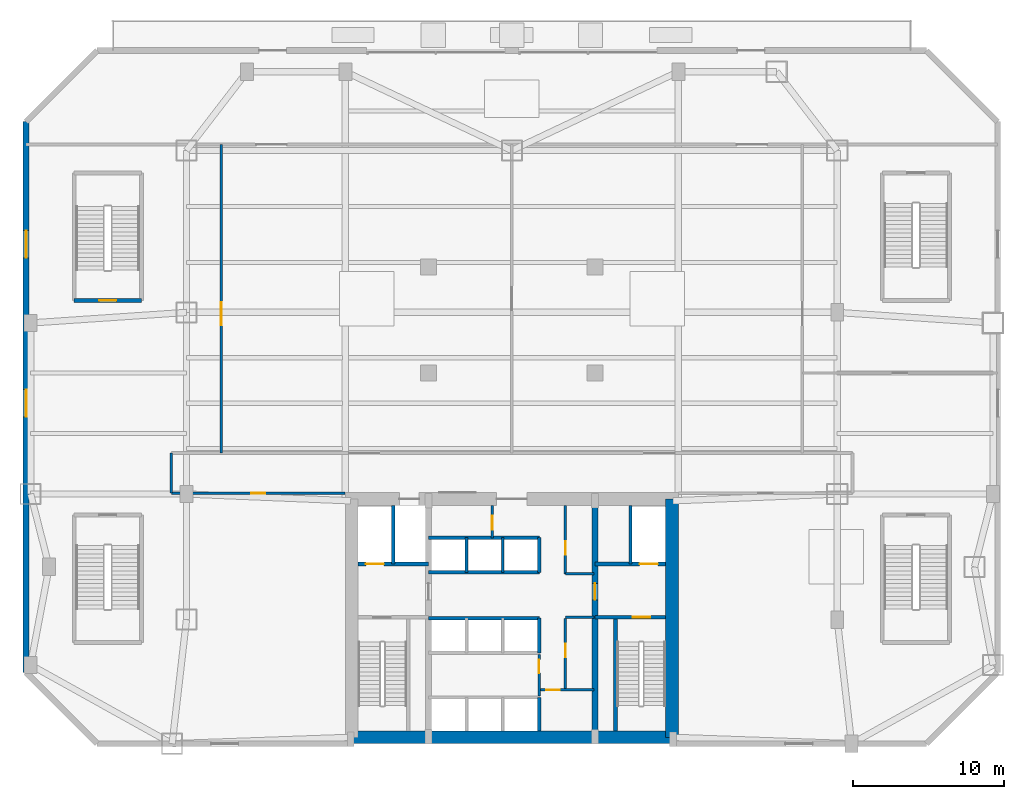
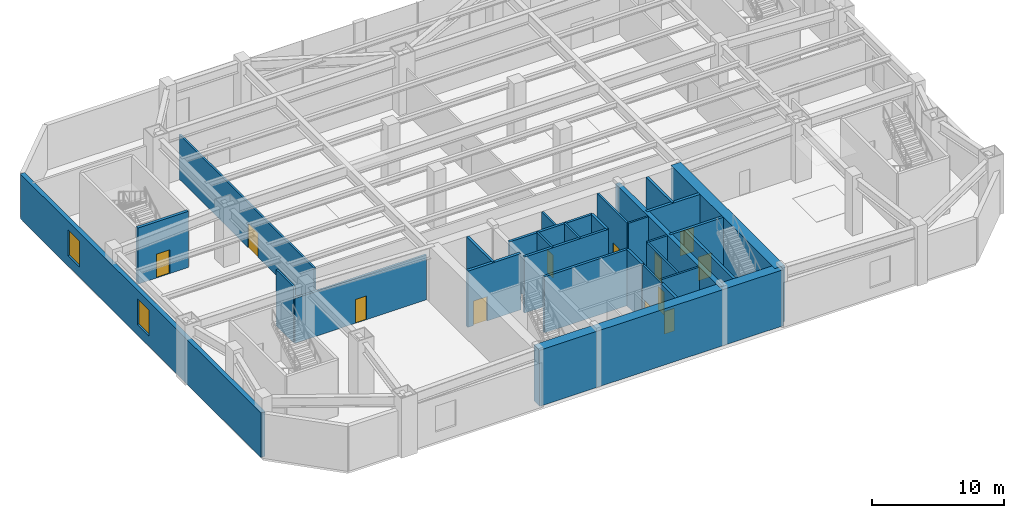
# One storey, part 4 of 9: 29 walls, 12 doors, 2 windows, 14 openings.
"""IFC4 building model written with IfcOpenShell, lengths in metres."""

import ifcopenshell
import ifcopenshell.guid

model = None  # the IFC model being written
_history = None  # IfcOwnerHistory: only IFC2X3 demands one
_inside = {}  # id of a spatial element -> (the spatial element, [elements in it])
_under = {}  # id of a project, library or spatial element -> (it, [spatial elements below it])
_declared = {}  # id of a project -> (the project, [libraries it declares])
_typed = {}  # id of a type object -> (the type object, [elements of that type])
_made_of = {}  # id of a material, layer set ... -> (it, [elements and type objects made of it])


def new_model(schema):
    """Start an empty IFC model of exactly this schema.

    Asked for "IFC4X3", IfcOpenShell would pick the latest addendum, in which some entities
    have other attributes; the version numbers below select the first issue.
    IFC2X3 requires an IfcOwnerHistory on every rooted entity: one is made here for all.
    """
    global model, _history
    if schema == "IFC4X3":
        model = ifcopenshell.file(schema_version=(4, 3, 0, 0))
    else:
        model = ifcopenshell.file(schema=schema)
    _inside.clear()
    _under.clear()
    _declared.clear()
    _typed.clear()
    _made_of.clear()
    _history = None
    if model.schema == "IFC2X3":
        org = make("IfcOrganization", Name="unknown")
        user = make(
            "IfcPersonAndOrganization",
            ThePerson=make("IfcPerson", FamilyName="unknown"),
            TheOrganization=org,
        )
        app = make(
            "IfcApplication",
            ApplicationDeveloper=org,
            Version="unknown",
            ApplicationFullName="unknown",
            ApplicationIdentifier="unknown",
        )
        _history = make(
            "IfcOwnerHistory",
            OwningUser=user,
            OwningApplication=app,
            ChangeAction="ADDED",
            CreationDate=0,
        )
    return model


def make(cls, **values):
    """One entity of the class cls with the attributes given. An attribute that is None is left unset."""
    return model.create_entity(
        cls, **{name: value for name, value in values.items() if value is not None}
    )


def rooted(cls, **values):
    """An entity with a GlobalId (a new one), such as an element, a storey or a relation."""
    return make(cls, GlobalId=ifcopenshell.guid.new(), OwnerHistory=_history, **values)


def si_unit(unit_type, name, prefix=None):
    """IfcSIUnit, for example si_unit("LENGTHUNIT", "METRE", prefix="MILLI")."""
    return make("IfcSIUnit", UnitType=unit_type, Prefix=prefix, Name=name)


def assignment(units):
    """IfcUnitAssignment: the units of a project."""
    return None if units is None else make("IfcUnitAssignment", Units=units)


def point(xyz):
    """IfcCartesianPoint."""
    return None if xyz is None else make("IfcCartesianPoint", Coordinates=xyz)


def direction(xyz):
    """IfcDirection."""
    return None if xyz is None else make("IfcDirection", DirectionRatios=xyz)


def frame(location, z_axis=None, x_axis=None):
    """IfcAxis2Placement3D, a coordinate frame: its origin and axes. An axis left out is left unset."""
    return make(
        "IfcAxis2Placement3D",
        Location=point(location),
        Axis=direction(z_axis),
        RefDirection=direction(x_axis),
    )


def frame_2d(location, x_axis=None):
    """IfcAxis2Placement2D, a coordinate frame in the plane: its origin and x axis."""
    return make(
        "IfcAxis2Placement2D", Location=point(location), RefDirection=direction(x_axis)
    )


def origin():
    """The frame at (0, 0, 0) with its axes left unset."""
    return frame((0.0, 0.0, 0.0))


def place(relative_to, where):
    """IfcLocalPlacement: puts the frame where relative to a parent placement (None: the world)."""
    return make(
        "IfcLocalPlacement", PlacementRelTo=relative_to, RelativePlacement=where
    )


def context(
    kind, dimensions, precision=None, world=None, true_north=None, identifier=None
):
    """IfcGeometricRepresentationContext, for example the 3D "Model" context."""
    return make(
        "IfcGeometricRepresentationContext",
        ContextIdentifier=identifier,
        ContextType=kind,
        CoordinateSpaceDimension=dimensions,
        Precision=precision,
        WorldCoordinateSystem=world,
        TrueNorth=true_north,
    )


def subcontext(parent, identifier, kind, view, scale=None):
    """IfcGeometricRepresentationSubContext, for example "Body" below "Model"."""
    return make(
        "IfcGeometricRepresentationSubContext",
        ContextIdentifier=identifier,
        ContextType=kind,
        ParentContext=parent,
        TargetScale=scale,
        TargetView=view,
    )


def project(units=None, contexts=None):
    """IfcProject with its units and contexts."""
    return rooted(
        "IfcProject",
        Name="project",
        RepresentationContexts=contexts,
        UnitsInContext=assignment(units),
    )


def spatial(cls, under=None, at=None, **own):
    """A site, building, storey or space (cls), placed at a placement, below another one or the project."""
    s = rooted(cls, ObjectPlacement=at, **own)
    if under is not None:
        _under.setdefault(under.id(), (under, []))[1].append(s)
    return s


def profile(cls, at=None, kind="AREA", **sizes):
    """A parametric profile (cls). Its sizes go by their IFC names, for example OverallWidth=200.0."""
    return make(cls, ProfileType=kind, Position=at, **sizes)


def rectangle(**sizes):
    """IfcRectangleProfileDef."""
    return profile("IfcRectangleProfileDef", **sizes)


def extrude(swept, where, along, depth):
    """IfcExtrudedAreaSolid: the profile swept, set in the frame where, extruded along a direction by depth."""
    return make(
        "IfcExtrudedAreaSolid",
        SweptArea=swept,
        Position=where,
        ExtrudedDirection=direction(along),
        Depth=depth,
    )


def shape(context_of_items, identifier, shape_type, items):
    """IfcShapeRepresentation: the items that make up one representation, for example the "Body"."""
    return make(
        "IfcShapeRepresentation",
        ContextOfItems=context_of_items,
        RepresentationIdentifier=identifier,
        RepresentationType=shape_type,
        Items=items,
    )


def source(mapping_origin, context_of_items, identifier, shape_type, items):
    """IfcRepresentationMap: a shape defined once, which mapped items show again and again."""
    return make(
        "IfcRepresentationMap",
        MappingOrigin=mapping_origin,
        MappedRepresentation=shape(context_of_items, identifier, shape_type, items),
    )


def transform(
    local_origin,
    x_axis=None,
    y_axis=None,
    z_axis=None,
    scale=None,
    scale2=None,
    scale3=None,
    uniform=True,
):
    """IfcCartesianTransformationOperator3D, or its non-uniform kind. x_axis, y_axis, z_axis: its Axis1, 2, 3."""
    if uniform:
        return make(
            "IfcCartesianTransformationOperator3D",
            Axis1=direction(x_axis),
            Axis2=direction(y_axis),
            LocalOrigin=point(local_origin),
            Scale=scale,
            Axis3=direction(z_axis),
        )
    return make(
        "IfcCartesianTransformationOperator3DnonUniform",
        Axis1=direction(x_axis),
        Axis2=direction(y_axis),
        LocalOrigin=point(local_origin),
        Scale=scale,
        Axis3=direction(z_axis),
        Scale2=scale2,
        Scale3=scale3,
    )


def mapped(mapping_source, mapping_target):
    """IfcMappedItem: shows the shape of a source again, moved by a transform."""
    return make(
        "IfcMappedItem", MappingSource=mapping_source, MappingTarget=mapping_target
    )


def material(Name=None, Category=None):
    """IfcMaterial."""
    return make("IfcMaterial", Name=Name, Category=Category)


def layer(
    of_material, thickness, ventilated=None, Name=None, Category=None, Priority=None
):
    """IfcMaterialLayer: one layer of a wall or slab, of a material (None: an air gap)."""
    return make(
        "IfcMaterialLayer",
        Material=of_material,
        LayerThickness=thickness,
        IsVentilated=ventilated,
        Name=Name,
        Category=Category,
        Priority=Priority,
    )


def layer_set(layers, Name=None):
    """IfcMaterialLayerSet."""
    return make("IfcMaterialLayerSet", MaterialLayers=layers, LayerSetName=Name)


def made_of(thing, what):
    """Note that an element or type object is made of a material, layer set ...; save() writes the relation."""
    if what is not None:
        _made_of.setdefault(what.id(), (what, []))[1].append(thing)
    return thing


def type_object(cls, material=None, **own):
    """A type object (cls), such as IfcWallType, which elements share."""
    return made_of(rooted(cls, **own), material)


def type_shapes(of_type, sources):
    """Give a type object the sources (RepresentationMaps) that its elements show as mapped items."""
    of_type.RepresentationMaps = sources


def element(
    cls,
    number,
    at=None,
    inside=None,
    cuts=None,
    type_object=None,
    material=None,
    context=None,
    identifier="Body",
    shape_type=None,
    held_by="IfcProductDefinitionShape",
    body=None,
    shapes=None,
    **own,
):
    """One element of the class cls, such as IfcWall. Its Tag is "e" and its number.

    at: its placement. inside: the storey or other place that contains it. cuts: it is an
    opening in that element (IfcRelVoidsElement). A single representation is given by context,
    identifier, shape_type and body (its items); several are given by shapes. held_by: the class
    of the entity that holds the representations. save() writes the other relations.
    """
    e = rooted(cls, Tag="e%d" % number, ObjectPlacement=at, **own)
    if body is not None:
        shapes = [shape(context, identifier, shape_type, body)]
    if shapes is not None:
        e.Representation = make(held_by, Representations=shapes)
    if inside is not None:
        _inside.setdefault(inside.id(), (inside, []))[1].append(e)
    if cuts is not None:
        rooted(
            "IfcRelVoidsElement", RelatingBuildingElement=cuts, RelatedOpeningElement=e
        )
    if type_object is not None:
        _typed.setdefault(type_object.id(), (type_object, []))[1].append(e)
    return made_of(e, material)


def fill(opening, filler):
    """IfcRelFillsElement: the door or window that sits in an opening."""
    return rooted(
        "IfcRelFillsElement",
        RelatingOpeningElement=opening,
        RelatedBuildingElement=filler,
    )


def aggregate(whole, parts):
    """IfcRelAggregates: a whole, such as a stair, and the parts it consists of."""
    return rooted("IfcRelAggregates", RelatingObject=whole, RelatedObjects=parts)


def save(model, path):
    """Write the relations noted so far, then the file.

    IfcRelAggregates (storeys below a building ...), IfcRelContainedInSpatialStructure (elements
    in a storey), IfcRelDefinesByType, IfcRelAssociatesMaterial and IfcRelDeclares: one each for
    every whole, place, type object, material and project.
    """
    for whole, parts in _under.values():
        aggregate(whole, parts)
    for where, things in _inside.values():
        rooted(
            "IfcRelContainedInSpatialStructure",
            RelatedElements=things,
            RelatingStructure=where,
        )
    for kind, things in _typed.values():
        rooted("IfcRelDefinesByType", RelatedObjects=things, RelatingType=kind)
    for what, things in _made_of.values():
        rooted("IfcRelAssociatesMaterial", RelatedObjects=things, RelatingMaterial=what)
    for by, libraries in _declared.values():
        rooted("IfcRelDeclares", RelatingContext=by, RelatedDefinitions=libraries)
    model.write(path)


model = new_model("IFC4")

# Units and contexts
model_context = context("Model", 3, precision=1e-05, world=origin(), true_north=direction((0.0, 1.0)))
body_context = subcontext(model_context, "Body", "Model", "MODEL_VIEW")
ifc_project = project(units=[si_unit("LENGTHUNIT", "METRE"), si_unit("AREAUNIT", "SQUARE_METRE"), si_unit("VOLUMEUNIT", "CUBIC_METRE"), si_unit("PLANEANGLEUNIT", "RADIAN"), si_unit("MASSUNIT", "GRAM", prefix="KILO")], contexts=[model_context])

# Site, building, storey
site_placement = place(None, origin())
site = spatial("IfcSite", under=ifc_project, at=site_placement, CompositionType="ELEMENT")
building_placement = place(site_placement, origin())
building = spatial("IfcBuilding", under=site, at=building_placement, Name="Varnakhor Terracotta Tower", CompositionType="ELEMENT")
storey_placement = place(building_placement, frame((0.0, 0.0, 11.0)))
storey = spatial("IfcBuildingStorey", under=building, at=storey_placement, Name="L02", CompositionType="ELEMENT", Elevation=11.0)

# Walls
ifc_material_1 = material(Name="Concrete C60/75", Category="concrete")
ifc_layer_1 = layer(ifc_material_1, 0.85009765625, Name="Concrete C60/75")
ifc_layer_set_1 = layer_set([ifc_layer_1], Name="Concrete C60/75")
wall_type_1 = type_object("IfcWallType", Name="WAL-CORE-850", PredefinedType="SHEAR", material=ifc_layer_set_1)
wall_1_placement = place(storey_placement, frame((-10.64990234375, 0.425048828125, 0.0), z_axis=(0.0, 0.0, 1.0), x_axis=(1.0, 0.0, 0.0)))
element("IfcWall", 1, at=wall_1_placement, inside=storey, type_object=wall_type_1, Name="L02 South Core Shear Wall", PredefinedType="SHEAR", context=body_context, shape_type="SweptSolid", body=[
    extrude(rectangle(XDim=21.2998046875, YDim=0.85009765625, at=frame_2d((10.64990234375, 0.0))), origin(), (0.0, 0.0, 1.0), 5.18505859375),
])
wall_2_placement = place(storey_placement, frame((10.574951171875, 0.425048828125, 0.0), z_axis=(0.0, 0.0, 1.0), x_axis=(0.0, 1.0, 0.0)))
element("IfcWall", 2, at=wall_2_placement, inside=storey, type_object=wall_type_1, Name="L02 East Core Shear Wall", PredefinedType="SHEAR", context=body_context, shape_type="SweptSolid", body=[
    extrude(rectangle(XDim=15.75, YDim=0.85009765625, at=frame_2d((7.875, 0.0))), origin(), (0.0, 0.0, 1.0), 5.18505859375),
])

# Wall, opening, door
ifc_material_2 = material(Name="Concrete C50/60", Category="concrete")
ifc_layer_2 = layer(ifc_material_2, 0.39990234375, Name="Concrete C50/60")
ifc_layer_set_2 = layer_set([ifc_layer_2], Name="Concrete C50/60")
wall_type_2 = type_object("IfcWallType", Name="WAL-CORE-WEB-400", PredefinedType="SHEAR", material=ifc_layer_set_2)
wall_3_placement = place(storey_placement, frame((5.5, 0.425048828125, 0.0), z_axis=(0.0, 0.0, 1.0), x_axis=(0.0, 1.0, 0.0)))
wall_3 = element("IfcWall", 3, at=wall_3_placement, inside=storey, type_object=wall_type_2, Name="L02 East Core Web Shear Wall", PredefinedType="SHEAR", context=body_context, shape_type="SweptSolid", body=[
    extrude(rectangle(XDim=15.75, YDim=0.39990234375, at=frame_2d((7.875, 0.0))), origin(), (0.0, 0.0, 1.0), 5.18505859375),
])
opening_1_placement = place(wall_3_placement, frame((9.074951171875, 0.0, 0.0)))
opening_1 = element("IfcOpeningElement", 4, at=opening_1_placement, cuts=wall_3, Name="Opening DR-25", PredefinedType="OPENING", context=body_context, shape_type="SweptSolid", body=[
    extrude(rectangle(XDim=1.10009765625, YDim=2.199951171875, at=frame_2d((0.550048828125, 1.10009765625))), frame((0.0, 0.2099609375, 0.0), z_axis=(0.0, -1.0, 0.0), x_axis=(1.0, 0.0, 0.0)), (0.0, 0.0, 1.0), 0.419921875),
])
ifc_material_3 = material(Name="Firefighting Lobby Self-Closing Fire Door", Category="steel")
door_type_1 = type_object("IfcDoorType", Name="DR-FFL-1100X2200", OperationType="NOTDEFINED", PredefinedType="DOOR", material=ifc_material_3)
shared_shape_1 = source(origin(), body_context, "Body", "SweptSolid", [
    extrude(rectangle(XDim=1.10009765625, YDim=2.199951171875, at=frame_2d((0.550048828125, 1.10009765625))), frame((0.0, 0.02490234375, 0.0), z_axis=(0.0, -1.0, 0.0), x_axis=(1.0, 0.0, 0.0)), (0.0, 0.0, 1.0), 0.050048828125),
])
type_shapes(door_type_1, [shared_shape_1])
door_1_placement = place(opening_1_placement, origin())
door_1 = element("IfcDoor", 5, at=door_1_placement, inside=storey, type_object=door_type_1, Name="L02 East Firefighting Lobby Door", OperationType="SINGLE_SWING_RIGHT", OverallHeight=2.199951171875, OverallWidth=1.10009765625, PredefinedType="DOOR", context=body_context, shape_type="MappedRepresentation", body=[
    mapped(shared_shape_1, transform((0.0, 0.0, 0.0), scale=1.0)),
])
fill(opening_1, door_1)

# Wall
ifc_material_4 = material(Name="Fire-Rated Gypsum Stud Partition", Category="gypsum")
ifc_layer_3 = layer(ifc_material_4, 0.18505859375, Name="Fire-Rated Gypsum Stud Partition")
ifc_layer_set_3 = layer_set([ifc_layer_3], Name="Fire-Rated Gypsum Stud Partition")
wall_type_3 = type_object("IfcWallType", Name="WAL-CORR-185", PredefinedType="PARTITIONING", material=ifc_layer_set_3)
wall_4_placement = place(storey_placement, frame((-22.5, 16.550048828125, 0.0), z_axis=(0.0, 0.0, 1.0), x_axis=(0.0, 1.0, 0.0)))
element("IfcWall", 6, at=wall_4_placement, inside=storey, type_object=wall_type_3, Name="L02 South Corridor West End Wall", PredefinedType="PARTITIONING", context=body_context, shape_type="SweptSolid", body=[
    extrude(rectangle(XDim=2.64990234375, YDim=0.18505859375, at=frame_2d((1.324951171875, 0.0))), origin(), (0.0, 0.0, 1.0), 5.177001953125),
])

# Wall, opening, door
wall_5_placement = place(storey_placement, frame((-22.5, 16.550048828125, 0.0), z_axis=(0.0, 0.0, 1.0), x_axis=(1.0, 0.0, 0.0)))
wall_5 = element("IfcWall", 7, at=wall_5_placement, inside=storey, type_object=wall_type_3, Name="L02 South West Suite Wall", PredefinedType="PARTITIONING", context=body_context, shape_type="SweptSolid", body=[
    extrude(rectangle(XDim=11.47998046875, YDim=0.18505859375, at=frame_2d((5.739990234375, 0.0))), origin(), (0.0, 0.0, 1.0), 4.136962890625),
])
opening_2_placement = place(wall_5_placement, frame((5.264892578125, 0.0, 0.0)))
opening_2 = element("IfcOpeningElement", 8, at=opening_2_placement, cuts=wall_5, Name="Opening DR-94", PredefinedType="OPENING", context=body_context, shape_type="SweptSolid", body=[
    extrude(rectangle(XDim=0.949951171875, YDim=2.199951171875, at=frame_2d((0.47509765625, 1.10009765625))), frame((0.0, 0.1025390625, 0.0), z_axis=(0.0, -1.0, 0.0), x_axis=(1.0, 0.0, 0.0)), (0.0, 0.0, 1.0), 0.205078125),
])
ifc_material_5 = material(Name="Acoustic Glazed-Vision Timber Office Door", Category="wood")
door_type_2 = type_object("IfcDoorType", Name="DR-OFF-950X2200", OperationType="NOTDEFINED", PredefinedType="DOOR", material=ifc_material_5)
shared_shape_2 = source(origin(), body_context, "Body", "SweptSolid", [
    extrude(rectangle(XDim=0.949951171875, YDim=2.199951171875, at=frame_2d((0.47509765625, 1.10009765625))), frame((0.0, 0.02490234375, 0.0), z_axis=(0.0, -1.0, 0.0), x_axis=(1.0, 0.0, 0.0)), (0.0, 0.0, 1.0), 0.050048828125),
])
type_shapes(door_type_2, [shared_shape_2])
door_2_placement = place(opening_2_placement, origin())
door_2 = element("IfcDoor", 9, at=door_2_placement, inside=storey, type_object=door_type_2, Name="L02 SW Suite Door", OperationType="SINGLE_SWING_RIGHT", OverallHeight=2.199951171875, OverallWidth=0.949951171875, PredefinedType="DOOR", context=body_context, shape_type="MappedRepresentation", body=[
    mapped(shared_shape_2, transform((0.0, 0.0, 0.0), scale=1.0)),
])
fill(opening_2, door_2)

# Wall, openings, windows
ifc_material_6 = material(Name="Honed Riyadh Limestone Assembly", Category="masonry")
ifc_layer_4 = layer(ifc_material_6, 0.3798828125, Name="Honed Riyadh Limestone Assembly")
ifc_layer_set_4 = layer_set([ifc_layer_4], Name="Honed Riyadh Limestone Assembly")
wall_type_4 = type_object("IfcWallType", Name="WAL-EXT-LIMESTONE-380", PredefinedType="SOLIDWALL", material=ifc_layer_set_4)
wall_6_placement = place(storey_placement, frame((-32.10009765625, 4.699951171875, 0.0), z_axis=(0.0, 0.0, 1.0), x_axis=(0.0, 1.0, 0.0)))
wall_6 = element("IfcWall", 10, at=wall_6_placement, inside=storey, type_object=wall_type_4, Name="L02 Podium Side Limestone Wall 1", PredefinedType="SOLIDWALL", context=body_context, shape_type="SweptSolid", body=[
    extrude(rectangle(XDim=36.400146484375, YDim=0.3798828125, at=frame_2d((18.2001953125, 0.0))), origin(), (0.0, 0.0, 1.0), 4.125),
])
opening_3_placement = place(wall_6_placement, frame((16.89990234375, 0.0, 0.949951171875)))
opening_3 = element("IfcOpeningElement", 11, at=opening_3_placement, cuts=wall_6, Name="Opening WN-19", PredefinedType="OPENING", context=body_context, shape_type="SweptSolid", body=[
    extrude(rectangle(XDim=1.800048828125, YDim=2.39990234375, at=frame_2d((0.89990234375, 1.199951171875))), frame((0.0, 0.199951171875, 0.0), z_axis=(0.0, -1.0, 0.0), x_axis=(1.0, 0.0, 0.0)), (0.0, 0.0, 1.0), 0.39990234375),
])
opening_4_placement = place(wall_6_placement, frame((27.39990234375, 0.0, 0.949951171875)))
opening_4 = element("IfcOpeningElement", 12, at=opening_4_placement, cuts=wall_6, Name="Opening WN-19", PredefinedType="OPENING", context=body_context, shape_type="SweptSolid", body=[
    extrude(rectangle(XDim=1.800048828125, YDim=2.39990234375, at=frame_2d((0.89990234375, 1.199951171875))), frame((0.0, 0.199951171875, 0.0), z_axis=(0.0, -1.0, 0.0), x_axis=(1.0, 0.0, 0.0)), (0.0, 0.0, 1.0), 0.39990234375),
])
ifc_material_7 = material(Name="Solar-Control Low-E Insulated Glass Unit", Category="glass")
window_type = type_object("IfcWindowType", Name="WIN-POD-1800X2400", PartitioningType="SINGLE_PANEL", PredefinedType="WINDOW", material=ifc_material_7)
shared_shape_3 = source(origin(), body_context, "Body", "SweptSolid", [
    extrude(rectangle(XDim=1.800048828125, YDim=2.39990234375, at=frame_2d((0.89990234375, 1.199951171875))), frame((0.0, 0.030029296875, 0.0), z_axis=(0.0, -1.0, 0.0), x_axis=(1.0, 0.0, 0.0)), (0.0, 0.0, 1.0), 0.06005859375),
])
type_shapes(window_type, [shared_shape_3])
window_1_placement = place(opening_3_placement, origin())
window_1 = element("IfcWindow", 13, at=window_1_placement, inside=storey, type_object=window_type, Name="L02 Side Punched Window 1-2", OverallHeight=2.39990234375, OverallWidth=1.800048828125, PartitioningType="SINGLE_PANEL", PredefinedType="WINDOW", context=body_context, shape_type="MappedRepresentation", body=[
    mapped(shared_shape_3, transform((0.0, 0.0, 0.0), scale=1.0)),
])
fill(opening_3, window_1)
window_2_placement = place(opening_4_placement, origin())
window_2 = element("IfcWindow", 14, at=window_2_placement, inside=storey, type_object=window_type, Name="L02 Side Punched Window 1-3", OverallHeight=2.39990234375, OverallWidth=1.800048828125, PartitioningType="SINGLE_PANEL", PredefinedType="WINDOW", context=body_context, shape_type="MappedRepresentation", body=[
    mapped(shared_shape_3, transform((0.0, 0.0, 0.0), scale=1.0)),
])
fill(opening_4, window_2)

# Wall, opening, door
ifc_material_8 = material(Name="Concrete C40/50", Category="concrete")
ifc_layer_5 = layer(ifc_material_8, 0.219970703125, Name="Concrete C40/50")
ifc_layer_set_5 = layer_set([ifc_layer_5], Name="Concrete C40/50")
wall_type_5 = type_object("IfcWallType", Name="WAL-FFLOBBY-220", PredefinedType="SOLIDWALL", material=ifc_layer_set_5)
wall_7_placement = place(storey_placement, frame((10.14990234375, 8.35009765625, 0.0), z_axis=(0.0, 0.0, 1.0), x_axis=(-1.0, 0.0, 0.0)))
wall_7 = element("IfcWall", 15, at=wall_7_placement, inside=storey, type_object=wall_type_5, Name="L02 East Firefighting Lobby Stair Wall", PredefinedType="SOLIDWALL", context=body_context, shape_type="SweptSolid", body=[
    extrude(rectangle(XDim=4.64990234375, YDim=0.219970703125, at=frame_2d((2.324951171875, 0.0))), origin(), (0.0, 0.0, 1.0), 5.18505859375),
])
opening_5_placement = place(wall_7_placement, frame((1.0, 0.0, 0.0)))
opening_5 = element("IfcOpeningElement", 16, at=opening_5_placement, cuts=wall_7, Name="Opening DR-34", PredefinedType="OPENING", context=body_context, shape_type="SweptSolid", body=[
    extrude(rectangle(XDim=1.14990234375, YDim=2.199951171875, at=frame_2d((0.574951171875, 1.10009765625))), frame((0.0, 0.1201171875, 0.0), z_axis=(0.0, -1.0, 0.0), x_axis=(1.0, 0.0, 0.0)), (0.0, 0.0, 1.0), 0.239990234375),
])
ifc_material_9 = material(Name="Self-Closing Smoke-Sealed Steel Fire Door", Category="steel")
door_type_3 = type_object("IfcDoorType", Name="DR-STAIR-1150X2200", OperationType="NOTDEFINED", PredefinedType="DOOR", material=ifc_material_9)
shared_shape_4 = source(origin(), body_context, "Body", "SweptSolid", [
    extrude(rectangle(XDim=1.14990234375, YDim=2.199951171875, at=frame_2d((0.574951171875, 1.10009765625))), frame((0.0, 0.02490234375, 0.0), z_axis=(0.0, -1.0, 0.0), x_axis=(1.0, 0.0, 0.0)), (0.0, 0.0, 1.0), 0.050048828125),
])
type_shapes(door_type_3, [shared_shape_4])
door_3_placement = place(opening_5_placement, origin())
door_3 = element("IfcDoor", 17, at=door_3_placement, inside=storey, type_object=door_type_3, Name="L02 Exit Stair ST-2 Fire Door", OperationType="SINGLE_SWING_LEFT", OverallHeight=2.199951171875, OverallWidth=1.14990234375, PredefinedType="DOOR", context=body_context, shape_type="MappedRepresentation", body=[
    mapped(shared_shape_4, transform((0.0, 0.0, 0.0), scale=1.0)),
])
fill(opening_5, door_3)

# Walls
ifc_layer_6 = layer(ifc_material_8, 0.179931640625, Name="Concrete C40/50")
ifc_layer_set_6 = layer_set([ifc_layer_6], Name="Concrete C40/50")
wall_type_6 = type_object("IfcWallType", Name="WAL-SHAFT-180", PredefinedType="SOLIDWALL", material=ifc_layer_set_6)
for number, where, z_axis, x_axis, name in (
    (18, (-3.0, 11.320068359375, 0.0), (0.0, 0.0, 1.0), (0.0, 1.0, 0.0), "L02 PL-3A Divider"),
    (19, (-0.60009765625, 11.320068359375, 0.0), (0.0, 0.0, 1.0), (0.0, 1.0, 0.0), "L02 PL-3B Divider"),
):
    element("IfcWall", number, at=place(storey_placement, frame(where, z_axis=z_axis, x_axis=x_axis)), inside=storey, type_object=wall_type_6, Name=name, PredefinedType="SOLIDWALL", context=body_context, shape_type="SweptSolid", body=[
        extrude(rectangle(XDim=2.300048828125, YDim=0.179931640625, at=frame_2d((1.14990234375, 0.0))), origin(), (0.0, 0.0, 1.0), 5.18505859375),
    ])
ifc_layer_7 = layer(ifc_material_8, 0.219970703125, Name="Concrete C40/50")
ifc_layer_set_7 = layer_set([ifc_layer_7], Name="Concrete C40/50")
wall_type_7 = type_object("IfcWallType", Name="WAL-SHAFT-220", PredefinedType="SOLIDWALL", material=ifc_layer_set_7)
for number, where, z_axis, x_axis, name in (
    (20, (-7.840087890625, 11.8701171875, 0.0), (0.0, 0.0, 1.0), (0.0, 1.0, 0.0), "L02 Lift FFL-1 and SVL-1 Divider Wall"),
    (21, (7.840087890625, 11.8701171875, 0.0), (0.0, 0.0, 1.0), (0.0, 1.0, 0.0), "L02 Lift FFL-2 and Riser Divider Wall"),
):
    element("IfcWall", number, at=place(storey_placement, frame(where, z_axis=z_axis, x_axis=x_axis)), inside=storey, type_object=wall_type_7, Name=name, PredefinedType="SOLIDWALL", context=body_context, shape_type="SweptSolid", body=[
        extrude(rectangle(XDim=3.8798828125, YDim=0.219970703125, at=frame_2d((1.93994140625, 0.0))), origin(), (0.0, 0.0, 1.0), 5.18505859375),
    ])
wall_8_placement = place(storey_placement, frame((1.800048828125, 0.85009765625, 0.0), z_axis=(0.0, 0.0, 1.0), x_axis=(0.0, 1.0, 0.0)))
element("IfcWall", 22, at=wall_8_placement, inside=storey, type_object=wall_type_7, Name="L02 Bank 1 East Shaft Wall", PredefinedType="SOLIDWALL", context=body_context, shape_type="SweptSolid", body=[
    extrude(rectangle(XDim=2.199951171875, YDim=0.219970703125, at=frame_2d((1.10009765625, 0.0))), origin(), (0.0, 0.0, 1.0), 5.18505859375),
])
wall_9_placement = place(storey_placement, frame((-5.5, 8.300048828125, 0.0), z_axis=(0.0, 0.0, 1.0), x_axis=(1.0, 0.0, 0.0)))
element("IfcWall", 23, at=wall_9_placement, inside=storey, type_object=wall_type_7, Name="L02 Bank 2 North Shaft Wall", PredefinedType="SOLIDWALL", context=body_context, shape_type="SweptSolid", body=[
    extrude(rectangle(XDim=7.320068359375, YDim=0.219970703125, at=frame_2d((3.66015625, 0.0))), origin(), (0.0, 0.0, 1.0), 5.18505859375),
])
wall_10_placement = place(storey_placement, frame((1.800048828125, 6.0, 0.0), z_axis=(0.0, 0.0, 1.0), x_axis=(0.0, 1.0, 0.0)))
element("IfcWall", 24, at=wall_10_placement, inside=storey, type_object=wall_type_7, Name="L02 Bank 2 East Shaft Wall", PredefinedType="SOLIDWALL", context=body_context, shape_type="SweptSolid", body=[
    extrude(rectangle(XDim=2.300048828125, YDim=0.219970703125, at=frame_2d((1.14990234375, 0.0))), origin(), (0.0, 0.0, 1.0), 5.18505859375),
])
for number, where, z_axis, x_axis, name in (
    (25, (-5.5, 11.320068359375, 0.0), (0.0, 0.0, 1.0), (1.0, 0.0, 0.0), "L02 Bank 3 South Shaft Wall"),
    (26, (-5.5, 13.6201171875, 0.0), (0.0, 0.0, 1.0), (1.0, 0.0, 0.0), "L02 Bank 3 North Shaft Wall"),
):
    element("IfcWall", number, at=place(storey_placement, frame(where, z_axis=z_axis, x_axis=x_axis)), inside=storey, type_object=wall_type_7, Name=name, PredefinedType="SOLIDWALL", context=body_context, shape_type="SweptSolid", body=[
        extrude(rectangle(XDim=7.320068359375, YDim=0.219970703125, at=frame_2d((3.66015625, 0.0))), origin(), (0.0, 0.0, 1.0), 5.18505859375),
    ])
wall_11_placement = place(storey_placement, frame((1.800048828125, 11.320068359375, 0.0), z_axis=(0.0, 0.0, 1.0), x_axis=(0.0, 1.0, 0.0)))
element("IfcWall", 27, at=wall_11_placement, inside=storey, type_object=wall_type_7, Name="L02 Bank 3 East Shaft Wall", PredefinedType="SOLIDWALL", context=body_context, shape_type="SweptSolid", body=[
    extrude(rectangle(XDim=2.300048828125, YDim=0.219970703125, at=frame_2d((1.14990234375, 0.0))), origin(), (0.0, 0.0, 1.0), 5.18505859375),
])

# Wall, opening, door
ifc_layer_8 = layer(ifc_material_8, 0.25, Name="Concrete C40/50")
ifc_layer_set_8 = layer_set([ifc_layer_8], Name="Concrete C40/50")
wall_type_8 = type_object("IfcWallType", Name="WAL-SHAFT-250", PredefinedType="SOLIDWALL", material=ifc_layer_set_8)
wall_12_placement = place(storey_placement, frame((-5.5, 11.8701171875, 0.0), z_axis=(0.0, 0.0, 1.0), x_axis=(-1.0, 0.0, 0.0)))
wall_12 = element("IfcWall", 28, at=wall_12_placement, inside=storey, type_object=wall_type_8, Name="L02 Lift FFL-1 Shaft Front Wall", PredefinedType="SOLIDWALL", context=body_context, shape_type="SweptSolid", body=[
    extrude(rectangle(XDim=4.64990234375, YDim=0.25, at=frame_2d((2.324951171875, 0.0))), origin(), (0.0, 0.0, 1.0), 5.18505859375),
])
opening_6_placement = place(wall_12_placement, frame((2.949951171875, 0.0, 0.0)))
opening_6 = element("IfcOpeningElement", 29, at=opening_6_placement, cuts=wall_12, Name="Opening LD-02", PredefinedType="OPENING", context=body_context, shape_type="SweptSolid", body=[
    extrude(rectangle(XDim=1.199951171875, YDim=2.25, at=frame_2d((0.60009765625, 1.125))), frame((0.0, 0.135009765625, 0.0), z_axis=(0.0, -1.0, 0.0), x_axis=(1.0, 0.0, 0.0)), (0.0, 0.0, 1.0), 0.27001953125),
])
ifc_material_10 = material(Name="Firefighting Stretcher Sliding Lift Landing Door", Category="steel")
door_type_4 = type_object("IfcDoorType", Name="LD-FFL-1200X2250", OperationType="NOTDEFINED", PredefinedType="DOOR", material=ifc_material_10)
shared_shape_5 = source(origin(), body_context, "Body", "SweptSolid", [
    extrude(rectangle(XDim=1.199951171875, YDim=2.25, at=frame_2d((0.60009765625, 1.125))), frame((0.0, 0.02490234375, 0.0), z_axis=(0.0, -1.0, 0.0), x_axis=(1.0, 0.0, 0.0)), (0.0, 0.0, 1.0), 0.050048828125),
])
type_shapes(door_type_4, [shared_shape_5])
door_4_placement = place(opening_6_placement, origin())
door_4 = element("IfcDoor", 30, at=door_4_placement, inside=storey, type_object=door_type_4, Name="L02 Firefighting Lift FFL-1 Landing Door", OperationType="SLIDING_TO_LEFT", OverallHeight=2.25, OverallWidth=1.199951171875, PredefinedType="DOOR", context=body_context, shape_type="MappedRepresentation", body=[
    mapped(shared_shape_5, transform((0.0, 0.0, 0.0), scale=1.0)),
])
fill(opening_6, door_4)

# Wall
wall_13_placement = place(storey_placement, frame((6.85009765625, 0.85009765625, 0.0), z_axis=(0.0, 0.0, 1.0), x_axis=(0.0, 1.0, 0.0)))
element("IfcWall", 31, at=wall_13_placement, inside=storey, type_object=wall_type_8, Name="L02 Stair ST-2 Bearing Shaft Wall", PredefinedType="SOLIDWALL", context=body_context, shape_type="SweptSolid", body=[
    extrude(rectangle(XDim=7.5, YDim=0.25, at=frame_2d((3.75, 0.0))), origin(), (0.0, 0.0, 1.0), 5.18505859375),
])

# Wall, opening, door
wall_14_placement = place(storey_placement, frame((10.14990234375, 11.8701171875, 0.0), z_axis=(0.0, 0.0, 1.0), x_axis=(-1.0, 0.0, 0.0)))
wall_14 = element("IfcWall", 32, at=wall_14_placement, inside=storey, type_object=wall_type_8, Name="L02 Lift FFL-2 Shaft Front Wall", PredefinedType="SOLIDWALL", context=body_context, shape_type="SweptSolid", body=[
    extrude(rectangle(XDim=4.64990234375, YDim=0.25, at=frame_2d((2.324951171875, 0.0))), origin(), (0.0, 0.0, 1.0), 5.18505859375),
])
opening_7_placement = place(wall_14_placement, frame((0.5, 0.0, 0.0)))
opening_7 = element("IfcOpeningElement", 33, at=opening_7_placement, cuts=wall_14, Name="Opening LD-02", PredefinedType="OPENING", context=body_context, shape_type="SweptSolid", body=[
    extrude(rectangle(XDim=1.199951171875, YDim=2.25, at=frame_2d((0.60009765625, 1.125))), frame((0.0, 0.135009765625, 0.0), z_axis=(0.0, -1.0, 0.0), x_axis=(1.0, 0.0, 0.0)), (0.0, 0.0, 1.0), 0.27001953125),
])
door_5_placement = place(opening_7_placement, origin())
door_5 = element("IfcDoor", 34, at=door_5_placement, inside=storey, type_object=door_type_4, Name="L02 Firefighting Lift FFL-2 Landing Door", OperationType="SLIDING_TO_RIGHT", OverallHeight=2.25, OverallWidth=1.199951171875, PredefinedType="DOOR", context=body_context, shape_type="MappedRepresentation", body=[
    mapped(shared_shape_5, transform((0.0, 0.0, 0.0), scale=1.0)),
])
fill(opening_7, door_5)

wall_15_placement = place(storey_placement, frame((-28.919921875, 29.280029296875, 0.0), z_axis=(0.0, 0.0, 1.0), x_axis=(1.0, 0.0, 0.0)))
wall_15 = element("IfcWall", 35, at=wall_15_placement, inside=storey, type_object=wall_type_8, Name="L02 ST-P3 Bearing Shaft Wall S", PredefinedType="SOLIDWALL", context=body_context, shape_type="SweptSolid", body=[
    extrude(rectangle(XDim=4.43994140625, YDim=0.25, at=frame_2d((2.219970703125, 0.0))), origin(), (0.0, 0.0, 1.0), 5.18505859375),
])
opening_8_placement = place(wall_15_placement, frame((1.64501953125, 0.0, 0.0)))
opening_8 = element("IfcOpeningElement", 36, at=opening_8_placement, cuts=wall_15, Name="Opening DR-34", PredefinedType="OPENING", context=body_context, shape_type="SweptSolid", body=[
    extrude(rectangle(XDim=1.14990234375, YDim=2.199951171875, at=frame_2d((0.574951171875, 1.10009765625))), frame((0.0, 0.135009765625, 0.0), z_axis=(0.0, -1.0, 0.0), x_axis=(1.0, 0.0, 0.0)), (0.0, 0.0, 1.0), 0.27001953125),
])
door_6_placement = place(opening_8_placement, origin())
door_6 = element("IfcDoor", 37, at=door_6_placement, inside=storey, type_object=door_type_3, Name="L02 Exit Stair ST-P3 Fire Door", OperationType="SINGLE_SWING_RIGHT", OverallHeight=2.199951171875, OverallWidth=1.14990234375, PredefinedType="DOOR", context=body_context, shape_type="MappedRepresentation", body=[
    mapped(shared_shape_4, transform((0.0, 0.0, 0.0), scale=1.0)),
])
fill(opening_8, door_6)

ifc_material_11 = material(Name="Acoustic Fire-Rated Partition", Category="gypsum")
ifc_layer_9 = layer(ifc_material_11, 0.1650390625, Name="Acoustic Fire-Rated Partition")
ifc_layer_set_9 = layer_set([ifc_layer_9], Name="Acoustic Fire-Rated Partition")
wall_type_9 = type_object("IfcWallType", Name="WAL-TENANCY-165", PredefinedType="PARTITIONING", material=ifc_layer_set_9)
wall_16_placement = place(storey_placement, frame((1.800048828125, 3.159912109375, 0.0), z_axis=(0.0, 0.0, 1.0), x_axis=(0.0, 1.0, 0.0)))
wall_16 = element("IfcWall", 38, at=wall_16_placement, inside=storey, type_object=wall_type_9, Name="L02 Core Rated Service Wall", PredefinedType="PARTITIONING", context=body_context, shape_type="SweptSolid", body=[
    extrude(rectangle(XDim=2.719970703125, YDim=0.1650390625, at=frame_2d((1.35986328125, 0.0))), origin(), (0.0, 0.0, 1.0), 5.177001953125),
])
opening_9_placement = place(wall_16_placement, frame((1.5, 0.0, 0.0)))
opening_9 = element("IfcOpeningElement", 39, at=opening_9_placement, cuts=wall_16, Name="Opening DR-67", PredefinedType="OPENING", context=body_context, shape_type="SweptSolid", body=[
    extrude(rectangle(XDim=0.89990234375, YDim=2.10009765625, at=frame_2d((0.449951171875, 1.050048828125))), frame((0.0, 0.092529296875, 0.0), z_axis=(0.0, -1.0, 0.0), x_axis=(1.0, 0.0, 0.0)), (0.0, 0.0, 1.0), 0.18505859375),
])
ifc_material_12 = material(Name="Steel Service Riser Fire Door", Category="steel")
door_type_5 = type_object("IfcDoorType", Name="DR-RISER-900X2100", OperationType="NOTDEFINED", PredefinedType="DOOR", material=ifc_material_12)
shared_shape_6 = source(origin(), body_context, "Body", "SweptSolid", [
    extrude(rectangle(XDim=0.89990234375, YDim=2.10009765625, at=frame_2d((0.449951171875, 1.050048828125))), frame((0.0, 0.02490234375, 0.0), z_axis=(0.0, -1.0, 0.0), x_axis=(1.0, 0.0, 0.0)), (0.0, 0.0, 1.0), 0.050048828125),
])
type_shapes(door_type_5, [shared_shape_6])
door_7_placement = place(opening_9_placement, origin())
door_7 = element("IfcDoor", 40, at=door_7_placement, inside=storey, type_object=door_type_5, Name="L02 Core Store Fire Door", OperationType="SINGLE_SWING_LEFT", OverallHeight=2.10009765625, OverallWidth=0.89990234375, PredefinedType="DOOR", context=body_context, shape_type="MappedRepresentation", body=[
    mapped(shared_shape_6, transform((0.0, 0.0, 0.0), scale=1.0)),
])
fill(opening_9, door_7)

wall_17_placement = place(storey_placement, frame((3.5400390625, 3.632568359375, 0.0), z_axis=(0.0, 0.0, 1.0), x_axis=(0.0, 1.0, 0.0)))
wall_17 = element("IfcWall", 41, at=wall_17_placement, inside=storey, type_object=wall_type_9, Name="L02 Core Service Rated Wall", PredefinedType="PARTITIONING", context=body_context, shape_type="SweptSolid", body=[
    extrude(rectangle(XDim=4.625, YDim=0.1650390625, at=frame_2d((2.3125, 0.0))), origin(), (0.0, 0.0, 1.0), 5.177001953125),
])
opening_10_placement = place(wall_17_placement, frame((2.081298828125, 0.0, 0.0)))
opening_10 = element("IfcOpeningElement", 42, at=opening_10_placement, cuts=wall_17, Name="Opening DR-67", PredefinedType="OPENING", context=body_context, shape_type="SweptSolid", body=[
    extrude(rectangle(XDim=0.89990234375, YDim=2.10009765625, at=frame_2d((0.449951171875, 1.050048828125))), frame((0.0, 0.092529296875, 0.0), z_axis=(0.0, -1.0, 0.0), x_axis=(1.0, 0.0, 0.0)), (0.0, 0.0, 1.0), 0.18505859375),
])
door_8_placement = place(opening_10_placement, origin())
door_8 = element("IfcDoor", 43, at=door_8_placement, inside=storey, type_object=door_type_5, Name="L02 Core Accessible WC Door", OperationType="SINGLE_SWING_LEFT", OverallHeight=2.10009765625, OverallWidth=0.89990234375, PredefinedType="DOOR", context=body_context, shape_type="MappedRepresentation", body=[
    mapped(shared_shape_6, transform((0.0, 0.0, 0.0), scale=1.0)),
])
fill(opening_10, door_8)

# Wall
wall_18_placement = place(storey_placement, frame((3.5400390625, 8.340087890625, 0.0), z_axis=(0.0, 0.0, 1.0), x_axis=(1.0, 0.0, 0.0)))
element("IfcWall", 44, at=wall_18_placement, inside=storey, type_object=wall_type_9, Name="L02 Accessible WC North Wall", PredefinedType="PARTITIONING", context=body_context, shape_type="SweptSolid", body=[
    extrude(rectangle(XDim=1.8798828125, YDim=0.1650390625, at=frame_2d((0.93994140625, 0.0))), origin(), (0.0, 0.0, 1.0), 5.177001953125),
])

# Wall, opening, door
wall_19_placement = place(storey_placement, frame((1.800048828125, 3.550048828125, 0.0), z_axis=(0.0, 0.0, 1.0), x_axis=(1.0, 0.0, 0.0)))
wall_19 = element("IfcWall", 45, at=wall_19_placement, inside=storey, type_object=wall_type_9, Name="L02 Core South Service Rated Wall", PredefinedType="PARTITIONING", context=body_context, shape_type="SweptSolid", body=[
    extrude(rectangle(XDim=3.619873046875, YDim=0.1650390625, at=frame_2d((1.81005859375, 0.0))), origin(), (0.0, 0.0, 1.0), 5.177001953125),
])
opening_11_placement = place(wall_19_placement, frame((0.47998046875, 0.0, 0.0)))
opening_11 = element("IfcOpeningElement", 46, at=opening_11_placement, cuts=wall_19, Name="Opening DR-67", PredefinedType="OPENING", context=body_context, shape_type="SweptSolid", body=[
    extrude(rectangle(XDim=0.89990234375, YDim=2.10009765625, at=frame_2d((0.449951171875, 1.050048828125))), frame((0.0, 0.092529296875, 0.0), z_axis=(0.0, -1.0, 0.0), x_axis=(1.0, 0.0, 0.0)), (0.0, 0.0, 1.0), 0.18505859375),
])
door_9_placement = place(opening_11_placement, origin())
door_9 = element("IfcDoor", 47, at=door_9_placement, inside=storey, type_object=door_type_5, Name="L02 Core IT Room Door", OperationType="SINGLE_SWING_RIGHT", OverallHeight=2.10009765625, OverallWidth=0.89990234375, PredefinedType="DOOR", context=body_context, shape_type="MappedRepresentation", body=[
    mapped(shared_shape_6, transform((0.0, 0.0, 0.0), scale=1.0)),
])
fill(opening_11, door_9)

wall_20_placement = place(storey_placement, frame((-1.300048828125, 13.60009765625, 0.0), z_axis=(0.0, 0.0, 1.0), x_axis=(0.0, 1.0, 0.0)))
wall_20 = element("IfcWall", 48, at=wall_20_placement, inside=storey, type_object=wall_type_9, Name="L02 Male Restroom Wall", PredefinedType="PARTITIONING", context=body_context, shape_type="SweptSolid", body=[
    extrude(rectangle(XDim=2.14990234375, YDim=0.1650390625, at=frame_2d((1.074951171875, 0.0))), origin(), (0.0, 0.0, 1.0), 5.177001953125),
])
opening_12_placement = place(wall_20_placement, frame((0.550048828125, 0.0, 0.0)))
opening_12 = element("IfcOpeningElement", 49, at=opening_12_placement, cuts=wall_20, Name="Opening DR-67", PredefinedType="OPENING", context=body_context, shape_type="SweptSolid", body=[
    extrude(rectangle(XDim=0.89990234375, YDim=2.10009765625, at=frame_2d((0.449951171875, 1.050048828125))), frame((0.0, 0.092529296875, 0.0), z_axis=(0.0, -1.0, 0.0), x_axis=(1.0, 0.0, 0.0)), (0.0, 0.0, 1.0), 0.18505859375),
])
door_10_placement = place(opening_12_placement, origin())
door_10 = element("IfcDoor", 50, at=door_10_placement, inside=storey, type_object=door_type_5, Name="L02 Male WC Door", OperationType="SINGLE_SWING_RIGHT", OverallHeight=2.10009765625, OverallWidth=0.89990234375, PredefinedType="DOOR", context=body_context, shape_type="MappedRepresentation", body=[
    mapped(shared_shape_6, transform((0.0, 0.0, 0.0), scale=1.0)),
])
fill(opening_12, door_10)

wall_21_placement = place(storey_placement, frame((3.5400390625, 11.219970703125, 0.0), z_axis=(0.0, 0.0, 1.0), x_axis=(0.0, 1.0, 0.0)))
wall_21 = element("IfcWall", 51, at=wall_21_placement, inside=storey, type_object=wall_type_9, Name="L02 Restroom Corridor Wall", PredefinedType="PARTITIONING", context=body_context, shape_type="SweptSolid", body=[
    extrude(rectangle(XDim=4.530029296875, YDim=0.1650390625, at=frame_2d((2.26513671875, 0.0))), origin(), (0.0, 0.0, 1.0), 5.177001953125),
])
opening_13_placement = place(wall_21_placement, frame((1.25, 0.0, 0.0)))
opening_13 = element("IfcOpeningElement", 52, at=opening_13_placement, cuts=wall_21, Name="Opening DR-67", PredefinedType="OPENING", context=body_context, shape_type="SweptSolid", body=[
    extrude(rectangle(XDim=0.89990234375, YDim=2.10009765625, at=frame_2d((0.449951171875, 1.050048828125))), frame((0.0, 0.092529296875, 0.0), z_axis=(0.0, -1.0, 0.0), x_axis=(1.0, 0.0, 0.0)), (0.0, 0.0, 1.0), 0.18505859375),
])
door_11_placement = place(opening_13_placement, origin())
door_11 = element("IfcDoor", 53, at=door_11_placement, inside=storey, type_object=door_type_5, Name="L02 Female WC Door", OperationType="SINGLE_SWING_LEFT", OverallHeight=2.10009765625, OverallWidth=0.89990234375, PredefinedType="DOOR", context=body_context, shape_type="MappedRepresentation", body=[
    mapped(shared_shape_6, transform((0.0, 0.0, 0.0), scale=1.0)),
])
fill(opening_13, door_11)

# Wall
wall_22_placement = place(storey_placement, frame((3.5400390625, 11.219970703125, 0.0), z_axis=(0.0, 0.0, 1.0), x_axis=(1.0, 0.0, 0.0)))
element("IfcWall", 54, at=wall_22_placement, inside=storey, type_object=wall_type_9, Name="L02 Restroom South Wall", PredefinedType="PARTITIONING", context=body_context, shape_type="SweptSolid", body=[
    extrude(rectangle(XDim=1.8798828125, YDim=0.1650390625, at=frame_2d((0.93994140625, 0.0))), origin(), (0.0, 0.0, 1.0), 5.177001953125),
])

# Wall, opening, door
wall_23_placement = place(storey_placement, frame((-19.199951171875, 19.199951171875, 0.0), z_axis=(0.0, 0.0, 1.0), x_axis=(0.0, 1.0, 0.0)))
wall_23 = element("IfcWall", 55, at=wall_23_placement, inside=storey, type_object=wall_type_9, Name="L02 Hall West Acoustic Wall", PredefinedType="PARTITIONING", context=body_context, shape_type="SweptSolid", body=[
    extrude(rectangle(XDim=20.400146484375, YDim=0.1650390625, at=frame_2d((10.2001953125, 0.0))), origin(), (0.0, 0.0, 1.0), 4.136962890625),
])
opening_14_placement = place(wall_23_placement, frame((8.464111328125, 0.0, 0.0)))
opening_14 = element("IfcOpeningElement", 56, at=opening_14_placement, cuts=wall_23, Name="Opening DR-30", PredefinedType="OPENING", context=body_context, shape_type="SweptSolid", body=[
    extrude(rectangle(XDim=1.5, YDim=2.25, at=frame_2d((0.75, 1.125))), frame((0.0, 0.092529296875, 0.0), z_axis=(0.0, -1.0, 0.0), x_axis=(1.0, 0.0, 0.0)), (0.0, 0.0, 1.0), 0.18505859375),
])
ifc_material_13 = material(Name="Double Acoustic Conference Room Door", Category="wood")
door_type_6 = type_object("IfcDoorType", Name="DR-MEET-1500X2250", OperationType="NOTDEFINED", PredefinedType="DOOR", material=ifc_material_13)
shared_shape_7 = source(origin(), body_context, "Body", "SweptSolid", [
    extrude(rectangle(XDim=1.5, YDim=2.25, at=frame_2d((0.75, 1.125))), frame((0.0, 0.02490234375, 0.0), z_axis=(0.0, -1.0, 0.0), x_axis=(1.0, 0.0, 0.0)), (0.0, 0.0, 1.0), 0.050048828125),
])
type_shapes(door_type_6, [shared_shape_7])
door_12_placement = place(opening_14_placement, origin())
door_12 = element("IfcDoor", 57, at=door_12_placement, inside=storey, type_object=door_type_6, Name="L02 West Suite Door", OperationType="DOUBLE_DOOR_SINGLE_SWING", OverallHeight=2.25, OverallWidth=1.5, PredefinedType="DOOR", context=body_context, shape_type="MappedRepresentation", body=[
    mapped(shared_shape_7, transform((0.0, 0.0, 0.0), scale=1.0)),
])
fill(opening_14, door_12)

save(model, "model.ifc")
